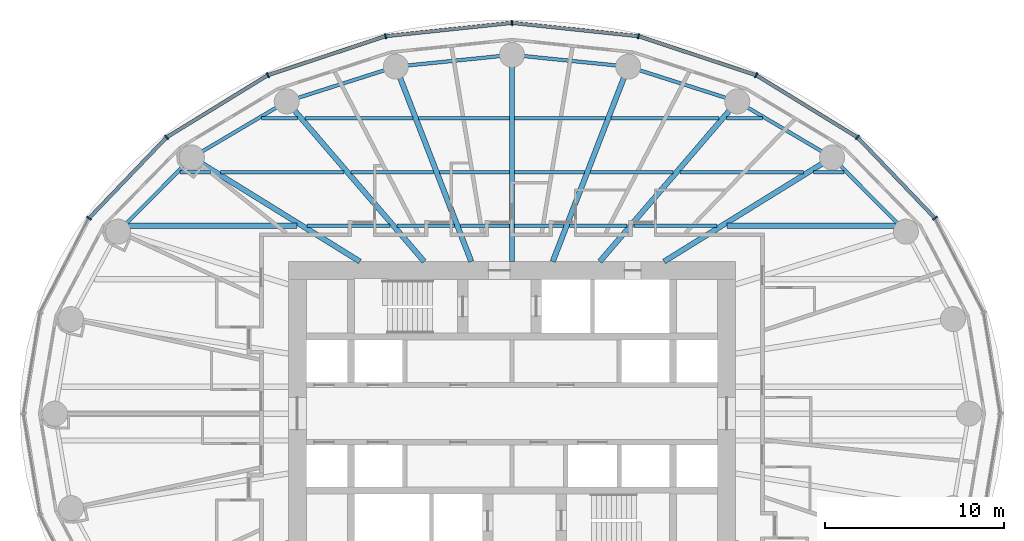
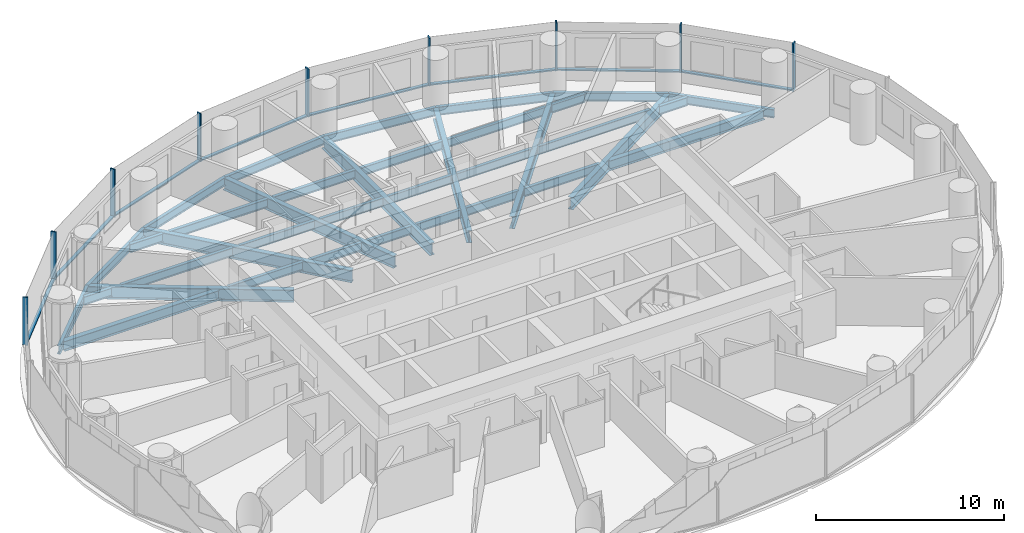
# One storey, part 4 of 14: 37 beams, 17 members, 2 elements without a shape of their own.
"""IFC4 building model written with IfcOpenShell, lengths in metres."""

from ifc_helpers import new_model, si_unit, direction, frame, origin, origin_2d, place, context, subcontext, project, spatial, rectangle, i_section, extrude, material, material_profile, profile_set, type_object, element, aggregate, save


model = new_model("IFC4")

# Units and contexts
model_context = context("Model", 3, precision=1e-05, world=origin(), true_north=direction((0.0, 1.0)))
body_context = subcontext(model_context, "Body", "Model", "MODEL_VIEW")
ifc_project = project(units=[si_unit("LENGTHUNIT", "METRE"), si_unit("AREAUNIT", "SQUARE_METRE"), si_unit("VOLUMEUNIT", "CUBIC_METRE"), si_unit("PLANEANGLEUNIT", "RADIAN"), si_unit("MASSUNIT", "GRAM", prefix="KILO")], contexts=[model_context])

# Site, building, storey
site_placement = place(None, origin())
site = spatial("IfcSite", under=ifc_project, at=site_placement, CompositionType="ELEMENT")
building_placement = place(site_placement, origin())
building = spatial("IfcBuilding", under=site, at=building_placement, Name="Hankou Lantern Tower", CompositionType="ELEMENT")
storey_placement = place(building_placement, frame((0.0, 0.0, 50.699951171875)))
storey = spatial("IfcBuildingStorey", under=building, at=storey_placement, Name="L11", CompositionType="ELEMENT", Elevation=50.699951171875)

# Beams
ifc_material_1 = material(Name="Steel Q355B", Category="steel")
ifc_material_profile_1 = material_profile(ifc_material_1, i_section(OverallWidth=0.199951171875, OverallDepth=0.550048828125, WebThickness=0.010009765625, FlangeThickness=0.01611328125, FilletRadius=0.012939453125, at=origin_2d()), Name="HN550x200x10x16")
ifc_profile_set_1 = profile_set([ifc_material_profile_1], Name="Steel Q355B")
beam_type_1 = type_object("IfcBeamType", Name="EB6 RING BEAM HN550x200x10x16", PredefinedType="SPANDREL", material=ifc_profile_set_1)
beam_1_placement = place(storey_placement, frame((22.01904296875, 10.170166015625, -0.454833984375), z_axis=(-0.705727798394, 0.708483079949, 0.0), x_axis=(-0.708483079949, -0.705727798394, 0.0)))
element("IfcBeam", 1, at=beam_1_placement, inside=storey, type_object=beam_type_1, Name="Ring beam R03-R04 L11", PredefinedType="SPANDREL", context=body_context, shape_type="SweptSolid", body=[
    extrude(i_section(OverallWidth=0.199951171875, OverallDepth=0.550048828125, WebThickness=0.010009765625, FlangeThickness=0.01611328125, FilletRadius=0.012939453125, at=origin_2d()), origin(), (0.0, 0.0, 1.0), 5.84814453125),
])
beam_2_placement = place(storey_placement, frame((17.891845703125, 14.3134765625, -0.454833984375), z_axis=(-0.860881533543, 0.508805449268, 0.0), x_axis=(-0.508805449268, -0.860881533543, 0.0)))
element("IfcBeam", 2, at=beam_2_placement, inside=storey, type_object=beam_type_1, Name="Ring beam R04-R05 L11", PredefinedType="SPANDREL", context=body_context, shape_type="SweptSolid", body=[
    extrude(i_section(OverallWidth=0.199951171875, OverallDepth=0.550048828125, WebThickness=0.010009765625, FlangeThickness=0.01611328125, FilletRadius=0.012939453125, at=origin_2d()), origin(), (0.0, 0.0, 1.0), 6.15771484375),
])
beam_3_placement = place(storey_placement, frame((12.5908203125, 17.446533203125, -0.454833984375), z_axis=(-0.952690479428, 0.303942182671, 0.0), x_axis=(-0.303942182671, -0.952690479428, 0.0)))
element("IfcBeam", 3, at=beam_3_placement, inside=storey, type_object=beam_type_1, Name="Ring beam R05-R06 L11", PredefinedType="SPANDREL", context=body_context, shape_type="SweptSolid", body=[
    extrude(i_section(OverallWidth=0.199951171875, OverallDepth=0.550048828125, WebThickness=0.010009765625, FlangeThickness=0.01611328125, FilletRadius=0.012939453125, at=origin_2d()), origin(), (0.0, 0.0, 1.0), 6.398681640625),
])
for number, where, z_axis, x_axis, name in (
    (4, (6.494873046875, 19.391357421875, -0.454833984375), (-0.994896616842, 0.100899562915, 0.0), (-0.100899562915, -0.994896616842, 0.0), "Ring beam R06-R07 L11"),
    (5, (0.0, 20.050048828125, -0.454833984375), (-0.994896616842, -0.100899562915, 0.0), (0.100899562915, -0.994896616842, 0.0), "Ring beam R07-R08 L11"),
):
    element("IfcBeam", number, at=place(storey_placement, frame(where, z_axis=z_axis, x_axis=x_axis)), inside=storey, type_object=beam_type_1, Name=name, PredefinedType="SPANDREL", context=body_context, shape_type="SweptSolid", body=[
        extrude(i_section(OverallWidth=0.199951171875, OverallDepth=0.550048828125, WebThickness=0.010009765625, FlangeThickness=0.01611328125, FilletRadius=0.012939453125, at=origin_2d()), origin(), (0.0, 0.0, 1.0), 6.528076171875),
    ])
beam_4_placement = place(storey_placement, frame((-6.494873046875, 19.391357421875, -0.454833984375), z_axis=(-0.952690479428, -0.303942182671, 0.0), x_axis=(0.303942182671, -0.952690479428, 0.0)))
element("IfcBeam", 6, at=beam_4_placement, inside=storey, type_object=beam_type_1, Name="Ring beam R08-R09 L11", PredefinedType="SPANDREL", context=body_context, shape_type="SweptSolid", body=[
    extrude(i_section(OverallWidth=0.199951171875, OverallDepth=0.550048828125, WebThickness=0.010009765625, FlangeThickness=0.01611328125, FilletRadius=0.012939453125, at=origin_2d()), origin(), (0.0, 0.0, 1.0), 6.398681640625),
])
beam_5_placement = place(storey_placement, frame((-12.5908203125, 17.446533203125, -0.454833984375), z_axis=(-0.860881533543, -0.508805449268, 0.0), x_axis=(0.508805449268, -0.860881533543, 0.0)))
element("IfcBeam", 7, at=beam_5_placement, inside=storey, type_object=beam_type_1, Name="Ring beam R09-R10 L11", PredefinedType="SPANDREL", context=body_context, shape_type="SweptSolid", body=[
    extrude(i_section(OverallWidth=0.199951171875, OverallDepth=0.550048828125, WebThickness=0.010009765625, FlangeThickness=0.01611328125, FilletRadius=0.012939453125, at=origin_2d()), origin(), (0.0, 0.0, 1.0), 6.15771484375),
])
beam_6_placement = place(storey_placement, frame((-17.891845703125, 14.3134765625, -0.454833984375), z_axis=(-0.705727798394, -0.708483079949, 0.0), x_axis=(0.708483079949, -0.705727798394, 0.0)))
element("IfcBeam", 8, at=beam_6_placement, inside=storey, type_object=beam_type_1, Name="Ring beam R10-R11 L11", PredefinedType="SPANDREL", context=body_context, shape_type="SweptSolid", body=[
    extrude(i_section(OverallWidth=0.199951171875, OverallDepth=0.550048828125, WebThickness=0.010009765625, FlangeThickness=0.01611328125, FilletRadius=0.012939453125, at=origin_2d()), origin(), (0.0, 0.0, 1.0), 5.84814453125),
])

# Curtain wall, members
ifc_material_2 = material(Name="Glass, dark grey tinted laminated", Category="glass")
curtain_wall_type = type_object("IfcCurtainWallType", Name="CWA OUTER SKIN LOW-RISE", PredefinedType="USERDEFINED", material=ifc_material_2)
curtain_wall_1_placement = place(storey_placement, origin())
curtain_wall_1 = element("IfcCurtainWall", 9, at=curtain_wall_1_placement, inside=storey, type_object=curtain_wall_type, Name="CWA L11 OS1", ObjectType="OUTER SKIN LOW-RISE", PredefinedType="USERDEFINED")
ifc_material_3 = material(Name="Aluminium, black anodised", Category="aluminium")
ifc_material_profile_2 = material_profile(ifc_material_3, rectangle(XDim=0.080078125, YDim=0.300048828125, at=origin_2d()), Name="MU1 80X300")
ifc_profile_set_2 = profile_set([ifc_material_profile_2], Name="Aluminium, black anodised")
member_type_1 = type_object("IfcMemberType", Name="MU1 OUTER SKIN MULLION 80X300", PredefinedType="MULLION", material=ifc_profile_set_2)
member_1_placement = place(storey_placement, frame((23.642578125, 10.919921875, 0.0), z_axis=(0.0, 0.0, 1.0), x_axis=(-0.585205735974, 0.810884854084, 0.0)))
member_1 = element("IfcMember", 10, at=member_1_placement, type_object=member_type_1, Name="CWA mullion 3", PredefinedType="MULLION", context=body_context, shape_type="SweptSolid", body=[
    extrude(rectangle(XDim=0.080078125, YDim=0.300048828125, at=origin_2d()), origin(), (0.0, 0.0, 1.0), 3.1201171875),
])
member_2_placement = place(storey_placement, frame((19.303955078125, 15.443115234375, 0.0), z_axis=(0.0, 0.0, 1.0), x_axis=(-0.780868809444, 0.624695047553, 0.0)))
member_2 = element("IfcMember", 11, at=member_2_placement, type_object=member_type_1, Name="CWA mullion 4", PredefinedType="MULLION", context=body_context, shape_type="SweptSolid", body=[
    extrude(rectangle(XDim=0.080078125, YDim=0.300048828125, at=origin_2d()), origin(), (0.0, 0.0, 1.0), 3.1201171875),
])
member_3_placement = place(storey_placement, frame((13.64990234375, 18.9140625, 0.0), z_axis=(0.0, 0.0, 1.0), x_axis=(-0.907841299004, 0.419313934686, 0.0)))
member_3 = element("IfcMember", 12, at=member_3_placement, type_object=member_type_1, Name="CWA mullion 5", PredefinedType="MULLION", context=body_context, shape_type="SweptSolid", body=[
    extrude(rectangle(XDim=0.080078125, YDim=0.300048828125, at=origin_2d()), origin(), (0.0, 0.0, 1.0), 3.1201171875),
])
member_4_placement = place(storey_placement, frame((7.065673828125, 21.095703125, 0.0), z_axis=(0.0, 0.0, 1.0), x_axis=(-0.977787659625, 0.209597931016, 0.0)))
member_4 = element("IfcMember", 13, at=member_4_placement, type_object=member_type_1, Name="CWA mullion 6", PredefinedType="MULLION", context=body_context, shape_type="SweptSolid", body=[
    extrude(rectangle(XDim=0.080078125, YDim=0.300048828125, at=origin_2d()), origin(), (0.0, 0.0, 1.0), 3.1201171875),
])

curtain_wall_2_placement = place(storey_placement, origin())
curtain_wall_2 = element("IfcCurtainWall", 14, at=curtain_wall_2_placement, inside=storey, type_object=curtain_wall_type, Name="CWA L11 OS2", ObjectType="OUTER SKIN LOW-RISE", PredefinedType="USERDEFINED")
member_5_placement = place(storey_placement, frame((0.0, 21.840087890625, 0.0), z_axis=(0.0, 0.0, 1.0), x_axis=(-0.994499359107, -0.104742659579, 0.0)))
member_5 = element("IfcMember", 15, at=member_5_placement, type_object=member_type_1, Name="CWA mullion 1", PredefinedType="MULLION", context=body_context, shape_type="SweptSolid", body=[
    extrude(rectangle(XDim=0.080078125, YDim=0.300048828125, at=origin_2d()), origin(), (0.0, 0.0, 1.0), 3.1201171875),
])
member_6_placement = place(storey_placement, frame((-7.065673828125, 21.095703125, 0.0), z_axis=(0.0, 0.0, 1.0), x_axis=(-0.977787659625, -0.209597931016, 0.0)))
member_6 = element("IfcMember", 16, at=member_6_placement, type_object=member_type_1, Name="CWA mullion 2", PredefinedType="MULLION", context=body_context, shape_type="SweptSolid", body=[
    extrude(rectangle(XDim=0.080078125, YDim=0.300048828125, at=origin_2d()), origin(), (0.0, 0.0, 1.0), 3.1201171875),
])
member_7_placement = place(storey_placement, frame((-13.64990234375, 18.9140625, 0.0), z_axis=(0.0, 0.0, 1.0), x_axis=(-0.907841299004, -0.419313934686, 0.0)))
member_7 = element("IfcMember", 17, at=member_7_placement, type_object=member_type_1, Name="CWA mullion 3", PredefinedType="MULLION", context=body_context, shape_type="SweptSolid", body=[
    extrude(rectangle(XDim=0.080078125, YDim=0.300048828125, at=origin_2d()), origin(), (0.0, 0.0, 1.0), 3.1201171875),
])
member_8_placement = place(storey_placement, frame((-19.303955078125, 15.443115234375, 0.0), z_axis=(0.0, 0.0, 1.0), x_axis=(-0.780868809444, -0.624695047553, 0.0)))
member_8 = element("IfcMember", 18, at=member_8_placement, type_object=member_type_1, Name="CWA mullion 4", PredefinedType="MULLION", context=body_context, shape_type="SweptSolid", body=[
    extrude(rectangle(XDim=0.080078125, YDim=0.300048828125, at=origin_2d()), origin(), (0.0, 0.0, 1.0), 3.1201171875),
])
member_9_placement = place(storey_placement, frame((-23.642578125, 10.919921875, 0.0), z_axis=(0.0, 0.0, 1.0), x_axis=(-0.585205735974, -0.810884854084, 0.0)))
member_9 = element("IfcMember", 19, at=member_9_placement, type_object=member_type_1, Name="CWA mullion 5", PredefinedType="MULLION", context=body_context, shape_type="SweptSolid", body=[
    extrude(rectangle(XDim=0.080078125, YDim=0.300048828125, at=origin_2d()), origin(), (0.0, 0.0, 1.0), 3.1201171875),
])

# Beams
ifc_material_4 = material(Name="Steel Q355B", Category="steel")
ifc_material_profile_3 = material_profile(ifc_material_4, i_section(OverallWidth=0.300048828125, OverallDepth=0.800048828125, WebThickness=0.013916015625, FlangeThickness=0.02587890625, FilletRadius=0.01806640625, at=origin_2d()), Name="HN800x300x14x26")
ifc_profile_set_3 = profile_set([ifc_material_profile_3], Name="Steel Q355B")
beam_type_2 = type_object("IfcBeamType", Name="RB11 RADIAL BEAM HN800x300x14x26", PredefinedType="BEAM", material=ifc_profile_set_3)
beam_7_placement = place(storey_placement, frame((8.5, 8.5, -0.579833984375), z_axis=(0.850286343288, 0.526320372414, 0.0), x_axis=(-0.526320372414, 0.850286343288, 0.0)))
element("IfcBeam", 20, at=beam_7_placement, inside=storey, type_object=beam_type_2, Name="Radial beam R04 L11", PredefinedType="BEAM", context=body_context, shape_type="SweptSolid", body=[
    extrude(i_section(OverallWidth=0.300048828125, OverallDepth=0.800048828125, WebThickness=0.013916015625, FlangeThickness=0.02587890625, FilletRadius=0.01806640625, at=origin_2d()), origin(), (0.0, 0.0, 1.0), 11.04541015625),
])
beam_8_placement = place(storey_placement, frame((4.907470703125, 8.5, -0.579833984375), z_axis=(0.651519061225, 0.758632264579, 0.0), x_axis=(-0.758632264579, 0.651519061225, 0.0)))
element("IfcBeam", 21, at=beam_8_placement, inside=storey, type_object=beam_type_2, Name="Radial beam R05 L11", PredefinedType="BEAM", context=body_context, shape_type="SweptSolid", body=[
    extrude(i_section(OverallWidth=0.300048828125, OverallDepth=0.800048828125, WebThickness=0.013916015625, FlangeThickness=0.02587890625, FilletRadius=0.01806640625, at=origin_2d()), origin(), (0.0, 0.0, 1.0), 11.79296875),
])
beam_9_placement = place(storey_placement, frame((2.277587890625, 8.5, -0.579833984375), z_axis=(0.361089103374, 0.932531318201, 0.0), x_axis=(-0.932531318201, 0.361089103374, 0.0)))
element("IfcBeam", 22, at=beam_9_placement, inside=storey, type_object=beam_type_2, Name="Radial beam R06 L11", PredefinedType="BEAM", context=body_context, shape_type="SweptSolid", body=[
    extrude(i_section(OverallWidth=0.300048828125, OverallDepth=0.800048828125, WebThickness=0.013916015625, FlangeThickness=0.02587890625, FilletRadius=0.01806640625, at=origin_2d()), origin(), (0.0, 0.0, 1.0), 11.679443359375),
])
beam_10_placement = place(storey_placement, frame((0.0, 8.5, -0.579833984375), z_axis=(0.0, 1.0, 0.0), x_axis=(-1.0, 0.0, 0.0)))
element("IfcBeam", 23, at=beam_10_placement, inside=storey, type_object=beam_type_2, Name="Radial beam R07 L11", PredefinedType="BEAM", context=body_context, shape_type="SweptSolid", body=[
    extrude(i_section(OverallWidth=0.300048828125, OverallDepth=0.800048828125, WebThickness=0.013916015625, FlangeThickness=0.02587890625, FilletRadius=0.01806640625, at=origin_2d()), origin(), (0.0, 0.0, 1.0), 11.550048828125),
])
beam_11_placement = place(storey_placement, frame((-2.277587890625, 8.5, -0.579833984375), z_axis=(-0.361089103374, 0.932531318201, 0.0), x_axis=(-0.932531318201, -0.361089103374, 0.0)))
element("IfcBeam", 24, at=beam_11_placement, inside=storey, type_object=beam_type_2, Name="Radial beam R08 L11", PredefinedType="BEAM", context=body_context, shape_type="SweptSolid", body=[
    extrude(i_section(OverallWidth=0.300048828125, OverallDepth=0.800048828125, WebThickness=0.013916015625, FlangeThickness=0.02587890625, FilletRadius=0.01806640625, at=origin_2d()), origin(), (0.0, 0.0, 1.0), 11.679443359375),
])
beam_12_placement = place(storey_placement, frame((-4.907470703125, 8.5, -0.579833984375), z_axis=(-0.651519061225, 0.758632264579, 0.0), x_axis=(-0.758632264579, -0.651519061225, 0.0)))
element("IfcBeam", 25, at=beam_12_placement, inside=storey, type_object=beam_type_2, Name="Radial beam R09 L11", PredefinedType="BEAM", context=body_context, shape_type="SweptSolid", body=[
    extrude(i_section(OverallWidth=0.300048828125, OverallDepth=0.800048828125, WebThickness=0.013916015625, FlangeThickness=0.02587890625, FilletRadius=0.01806640625, at=origin_2d()), origin(), (0.0, 0.0, 1.0), 11.79296875),
])
beam_13_placement = place(storey_placement, frame((-8.5, 8.5, -0.579833984375), z_axis=(-0.850286343288, 0.526320372414, 0.0), x_axis=(-0.526320372414, -0.850286343288, 0.0)))
element("IfcBeam", 26, at=beam_13_placement, inside=storey, type_object=beam_type_2, Name="Radial beam R10 L11", PredefinedType="BEAM", context=body_context, shape_type="SweptSolid", body=[
    extrude(i_section(OverallWidth=0.300048828125, OverallDepth=0.800048828125, WebThickness=0.013916015625, FlangeThickness=0.02587890625, FilletRadius=0.01806640625, at=origin_2d()), origin(), (0.0, 0.0, 1.0), 11.04541015625),
])
ifc_material_5 = material(Name="Steel Q355B", Category="steel")
ifc_material_profile_4 = material_profile(ifc_material_5, i_section(OverallWidth=0.199951171875, OverallDepth=0.550048828125, WebThickness=0.010009765625, FlangeThickness=0.01611328125, FilletRadius=0.012939453125, at=origin_2d()), Name="HN550x200x10x16")
ifc_profile_set_4 = profile_set([ifc_material_profile_4], Name="Steel Q355B")
beam_type_3 = type_object("IfcBeamType", Name="SB6 SECONDARY BEAM HN550x200x10x16", PredefinedType="JOIST", material=ifc_profile_set_4)
beam_14_placement = place(storey_placement, frame((-11.446044921875, 10.5, -0.454833984375), z_axis=(1.0, 0.0, 0.0), x_axis=(0.0, 1.0, 0.0)))
element("IfcBeam", 27, at=beam_14_placement, inside=storey, type_object=beam_type_3, Name="Floor joist J040 L11", PredefinedType="JOIST", context=body_context, shape_type="SweptSolid", body=[
    extrude(i_section(OverallWidth=0.199951171875, OverallDepth=0.550048828125, WebThickness=0.010009765625, FlangeThickness=0.01611328125, FilletRadius=0.012939453125, at=origin_2d()), origin(), (0.0, 0.0, 1.0), 4.623291015625),
])
beam_15_placement = place(storey_placement, frame((-6.427490234375, 10.5, -0.454833984375), z_axis=(1.0, 0.0, 0.0), x_axis=(0.0, 1.0, 0.0)))
element("IfcBeam", 28, at=beam_15_placement, inside=storey, type_object=beam_type_3, Name="Floor joist J041 L11", PredefinedType="JOIST", context=body_context, shape_type="SweptSolid", body=[
    extrude(i_section(OverallWidth=0.199951171875, OverallDepth=0.550048828125, WebThickness=0.010009765625, FlangeThickness=0.01611328125, FilletRadius=0.012939453125, at=origin_2d()), origin(), (0.0, 0.0, 1.0), 3.214599609375),
])
for number, where, z_axis, x_axis, name in (
    (29, (-2.89111328125, 10.5, -0.454833984375), (1.0, 0.0, 0.0), (0.0, 1.0, 0.0), "Floor joist J042 L11"),
    (30, (0.14990234375, 10.5, -0.454833984375), (1.0, 0.0, 0.0), (0.0, 1.0, 0.0), "Floor joist J043 L11"),
):
    element("IfcBeam", number, at=place(storey_placement, frame(where, z_axis=z_axis, x_axis=x_axis)), inside=storey, type_object=beam_type_3, Name=name, PredefinedType="JOIST", context=body_context, shape_type="SweptSolid", body=[
        extrude(i_section(OverallWidth=0.199951171875, OverallDepth=0.550048828125, WebThickness=0.010009765625, FlangeThickness=0.01611328125, FilletRadius=0.012939453125, at=origin_2d()), origin(), (0.0, 0.0, 1.0), 2.7412109375),
    ])
beam_16_placement = place(storey_placement, frame((3.212890625, 10.5, -0.454833984375), z_axis=(1.0, 0.0, 0.0), x_axis=(0.0, 1.0, 0.0)))
element("IfcBeam", 31, at=beam_16_placement, inside=storey, type_object=beam_type_3, Name="Floor joist J044 L11", PredefinedType="JOIST", context=body_context, shape_type="SweptSolid", body=[
    extrude(i_section(OverallWidth=0.199951171875, OverallDepth=0.550048828125, WebThickness=0.010009765625, FlangeThickness=0.01611328125, FilletRadius=0.012939453125, at=origin_2d()), origin(), (0.0, 0.0, 1.0), 3.214599609375),
])
beam_17_placement = place(storey_placement, frame((6.82275390625, 10.5, -0.454833984375), z_axis=(1.0, 0.0, 0.0), x_axis=(0.0, 1.0, 0.0)))
element("IfcBeam", 32, at=beam_17_placement, inside=storey, type_object=beam_type_3, Name="Floor joist J045 L11", PredefinedType="JOIST", context=body_context, shape_type="SweptSolid", body=[
    extrude(i_section(OverallWidth=0.199951171875, OverallDepth=0.550048828125, WebThickness=0.010009765625, FlangeThickness=0.01611328125, FilletRadius=0.012939453125, at=origin_2d()), origin(), (0.0, 0.0, 1.0), 4.623291015625),
])
beam_18_placement = place(storey_placement, frame((-18.560791015625, 13.5, -0.454833984375), z_axis=(1.0, 0.0, 0.0), x_axis=(0.0, 1.0, 0.0)))
element("IfcBeam", 33, at=beam_18_placement, inside=storey, type_object=beam_type_3, Name="Floor joist J047 L11", PredefinedType="JOIST", context=body_context, shape_type="SweptSolid", body=[
    extrude(i_section(OverallWidth=0.199951171875, OverallDepth=0.550048828125, WebThickness=0.010009765625, FlangeThickness=0.01611328125, FilletRadius=0.012939453125, at=origin_2d()), origin(), (0.0, 0.0, 1.0), 1.697998046875),
])
beam_19_placement = place(storey_placement, frame((-16.292724609375, 13.5, -0.454833984375), z_axis=(1.0, 0.0, 0.0), x_axis=(0.0, 1.0, 0.0)))
element("IfcBeam", 34, at=beam_19_placement, inside=storey, type_object=beam_type_3, Name="Floor joist J048 L11", PredefinedType="JOIST", context=body_context, shape_type="SweptSolid", body=[
    extrude(i_section(OverallWidth=0.199951171875, OverallDepth=0.550048828125, WebThickness=0.010009765625, FlangeThickness=0.01611328125, FilletRadius=0.012939453125, at=origin_2d()), origin(), (0.0, 0.0, 1.0), 6.893310546875),
])
beam_20_placement = place(storey_placement, frame((-9.00390625, 13.5, -0.454833984375), z_axis=(1.0, 0.0, 0.0), x_axis=(0.0, 1.0, 0.0)))
element("IfcBeam", 35, at=beam_20_placement, inside=storey, type_object=beam_type_3, Name="Floor joist J049 L11", PredefinedType="JOIST", context=body_context, shape_type="SweptSolid", body=[
    extrude(i_section(OverallWidth=0.199951171875, OverallDepth=0.550048828125, WebThickness=0.010009765625, FlangeThickness=0.01611328125, FilletRadius=0.012939453125, at=origin_2d()), origin(), (0.0, 0.0, 1.0), 4.62939453125),
])
for number, where, z_axis, x_axis, name in (
    (36, (-4.052734375, 13.5, -0.454833984375), (1.0, 0.0, 0.0), (0.0, 1.0, 0.0), "Floor joist J050 L11"),
    (37, (0.14990234375, 13.5, -0.454833984375), (1.0, 0.0, 0.0), (0.0, 1.0, 0.0), "Floor joist J051 L11"),
):
    element("IfcBeam", number, at=place(storey_placement, frame(where, z_axis=z_axis, x_axis=x_axis)), inside=storey, type_object=beam_type_3, Name=name, PredefinedType="JOIST", context=body_context, shape_type="SweptSolid", body=[
        extrude(i_section(OverallWidth=0.199951171875, OverallDepth=0.550048828125, WebThickness=0.010009765625, FlangeThickness=0.01611328125, FilletRadius=0.012939453125, at=origin_2d()), origin(), (0.0, 0.0, 1.0), 3.90283203125),
    ])
beam_21_placement = place(storey_placement, frame((4.37451171875, 13.5, -0.454833984375), z_axis=(1.0, 0.0, 0.0), x_axis=(0.0, 1.0, 0.0)))
element("IfcBeam", 38, at=beam_21_placement, inside=storey, type_object=beam_type_3, Name="Floor joist J052 L11", PredefinedType="JOIST", context=body_context, shape_type="SweptSolid", body=[
    extrude(i_section(OverallWidth=0.199951171875, OverallDepth=0.550048828125, WebThickness=0.010009765625, FlangeThickness=0.01611328125, FilletRadius=0.012939453125, at=origin_2d()), origin(), (0.0, 0.0, 1.0), 4.62939453125),
])
beam_22_placement = place(storey_placement, frame((9.3994140625, 13.5, -0.454833984375), z_axis=(1.0, 0.0, 0.0), x_axis=(0.0, 1.0, 0.0)))
element("IfcBeam", 39, at=beam_22_placement, inside=storey, type_object=beam_type_3, Name="Floor joist J053 L11", PredefinedType="JOIST", context=body_context, shape_type="SweptSolid", body=[
    extrude(i_section(OverallWidth=0.199951171875, OverallDepth=0.550048828125, WebThickness=0.010009765625, FlangeThickness=0.01611328125, FilletRadius=0.012939453125, at=origin_2d()), origin(), (0.0, 0.0, 1.0), 6.893310546875),
])
beam_23_placement = place(storey_placement, frame((16.86279296875, 13.5, -0.454833984375), z_axis=(1.0, 0.0, 0.0), x_axis=(0.0, 1.0, 0.0)))
element("IfcBeam", 40, at=beam_23_placement, inside=storey, type_object=beam_type_3, Name="Floor joist J054 L11", PredefinedType="JOIST", context=body_context, shape_type="SweptSolid", body=[
    extrude(i_section(OverallWidth=0.199951171875, OverallDepth=0.550048828125, WebThickness=0.010009765625, FlangeThickness=0.01611328125, FilletRadius=0.012939453125, at=origin_2d()), origin(), (0.0, 0.0, 1.0), 1.697998046875),
])
beam_24_placement = place(storey_placement, frame((-13.99560546875, 16.5, -0.454833984375), z_axis=(1.0, 0.0, 0.0), x_axis=(0.0, 1.0, 0.0)))
element("IfcBeam", 41, at=beam_24_placement, inside=storey, type_object=beam_type_3, Name="Floor joist J055 L11", PredefinedType="JOIST", context=body_context, shape_type="SweptSolid", body=[
    extrude(i_section(OverallWidth=0.199951171875, OverallDepth=0.550048828125, WebThickness=0.010009765625, FlangeThickness=0.01611328125, FilletRadius=0.012939453125, at=origin_2d()), origin(), (0.0, 0.0, 1.0), 2.019775390625),
])
beam_25_placement = place(storey_placement, frame((-11.580322265625, 16.5, -0.454833984375), z_axis=(1.0, 0.0, 0.0), x_axis=(0.0, 1.0, 0.0)))
element("IfcBeam", 42, at=beam_25_placement, inside=storey, type_object=beam_type_3, Name="Floor joist J056 L11", PredefinedType="JOIST", context=body_context, shape_type="SweptSolid", body=[
    extrude(i_section(OverallWidth=0.199951171875, OverallDepth=0.550048828125, WebThickness=0.010009765625, FlangeThickness=0.01611328125, FilletRadius=0.012939453125, at=origin_2d()), origin(), (0.0, 0.0, 1.0), 6.044189453125),
])
for number, where, z_axis, x_axis, name in (
    (43, (-5.21435546875, 16.5, -0.454833984375), (1.0, 0.0, 0.0), (0.0, 1.0, 0.0), "Floor joist J057 L11"),
    (44, (0.14990234375, 16.5, -0.454833984375), (1.0, 0.0, 0.0), (0.0, 1.0, 0.0), "Floor joist J058 L11"),
):
    element("IfcBeam", number, at=place(storey_placement, frame(where, z_axis=z_axis, x_axis=x_axis)), inside=storey, type_object=beam_type_3, Name=name, PredefinedType="JOIST", context=body_context, shape_type="SweptSolid", body=[
        extrude(i_section(OverallWidth=0.199951171875, OverallDepth=0.550048828125, WebThickness=0.010009765625, FlangeThickness=0.01611328125, FilletRadius=0.012939453125, at=origin_2d()), origin(), (0.0, 0.0, 1.0), 5.064453125),
    ])
beam_26_placement = place(storey_placement, frame((5.5361328125, 16.5, -0.454833984375), z_axis=(1.0, 0.0, 0.0), x_axis=(0.0, 1.0, 0.0)))
element("IfcBeam", 45, at=beam_26_placement, inside=storey, type_object=beam_type_3, Name="Floor joist J059 L11", PredefinedType="JOIST", context=body_context, shape_type="SweptSolid", body=[
    extrude(i_section(OverallWidth=0.199951171875, OverallDepth=0.550048828125, WebThickness=0.010009765625, FlangeThickness=0.01611328125, FilletRadius=0.012939453125, at=origin_2d()), origin(), (0.0, 0.0, 1.0), 6.044189453125),
])
beam_27_placement = place(storey_placement, frame((11.975830078125, 16.5, -0.454833984375), z_axis=(1.0, 0.0, 0.0), x_axis=(0.0, 1.0, 0.0)))
element("IfcBeam", 46, at=beam_27_placement, inside=storey, type_object=beam_type_3, Name="Floor joist J060 L11", PredefinedType="JOIST", context=body_context, shape_type="SweptSolid", body=[
    extrude(i_section(OverallWidth=0.199951171875, OverallDepth=0.550048828125, WebThickness=0.010009765625, FlangeThickness=0.01611328125, FilletRadius=0.012939453125, at=origin_2d()), origin(), (0.0, 0.0, 1.0), 2.019775390625),
])
ifc_material_6 = material(Name="Steel Q355B", Category="steel")
ifc_material_profile_5 = material_profile(ifc_material_6, i_section(OverallWidth=0.300048828125, OverallDepth=0.64990234375, WebThickness=0.010986328125, FlangeThickness=0.01708984375, FilletRadius=0.01806640625, at=origin_2d()), Name="HN650x300x11x17")
ifc_profile_set_5 = profile_set([ifc_material_profile_5], Name="Steel Q355B")
beam_type_4 = type_object("IfcBeamType", Name="SB8 SECONDARY BEAM HN650x300x11x17", PredefinedType="JOIST", material=ifc_profile_set_5)
for number, where, z_axis, x_axis, name in (
    (47, (-21.54931640625, 10.5, -0.5048828125), (1.0, 0.0, 0.0), (0.0, 1.0, 0.0), "Floor joist J039 L11"),
    (48, (12.01611328125, 10.5, -0.5048828125), (1.0, 0.0, 0.0), (0.0, 1.0, 0.0), "Floor joist J046 L11"),
):
    element("IfcBeam", number, at=place(storey_placement, frame(where, z_axis=z_axis, x_axis=x_axis)), inside=storey, type_object=beam_type_4, Name=name, PredefinedType="JOIST", context=body_context, shape_type="SweptSolid", body=[
        extrude(i_section(OverallWidth=0.300048828125, OverallDepth=0.64990234375, WebThickness=0.010986328125, FlangeThickness=0.01708984375, FilletRadius=0.01806640625, at=origin_2d()), origin(), (0.0, 0.0, 1.0), 9.533203125),
    ])

# Member
ifc_material_7 = material(Name="Aluminium, black anodised", Category="aluminium")
ifc_material_profile_6 = material_profile(ifc_material_7, rectangle(XDim=0.199951171875, YDim=0.080078125, at=origin_2d()), Name="TR1 200X80")
ifc_profile_set_6 = profile_set([ifc_material_profile_6], Name="Aluminium, black anodised")
member_type_2 = type_object("IfcMemberType", Name="TR1 OUTER SKIN TRANSOM 200X80", PredefinedType="USERDEFINED", material=ifc_profile_set_6)
member_10_placement = place(storey_placement, frame((23.61474609375, 10.948974609375, 0.0400390625), z_axis=(-0.692215537374, 0.721690827029, 0.0), x_axis=(-0.721690827029, -0.692215537374, 0.0)))
member_10 = element("IfcMember", 49, at=member_10_placement, type_object=member_type_2, Name="CWA transom 3", ObjectType="TRANSOM", PredefinedType="USERDEFINED", context=body_context, shape_type="SweptSolid", body=[
    extrude(rectangle(XDim=0.199951171875, YDim=0.080078125, at=origin_2d()), origin(), (0.0, 0.0, 1.0), 6.187255859375),
])

member_11_placement = place(storey_placement, frame((19.27001953125, 15.464111328125, 0.0400390625), z_axis=(-0.85223969557, 0.523151508929, 0.0), x_axis=(-0.523151508929, -0.85223969557, 0.0)))
member_11 = element("IfcMember", 50, at=member_11_placement, type_object=member_type_2, Name="CWA transom 4", ObjectType="TRANSOM", PredefinedType="USERDEFINED", context=body_context, shape_type="SweptSolid", body=[
    extrude(rectangle(XDim=0.199951171875, YDim=0.080078125, at=origin_2d()), origin(), (0.0, 0.0, 1.0), 6.554443359375),
])

member_12_placement = place(storey_placement, frame((13.612060546875, 18.926513671875, 0.0400390625), z_axis=(-0.949237318771, 0.314560825044, 0.0), x_axis=(-0.314560825044, -0.949237318771, 0.0)))
member_12 = element("IfcMember", 51, at=member_12_placement, type_object=member_type_2, Name="CWA transom 5", ObjectType="TRANSOM", PredefinedType="USERDEFINED", context=body_context, shape_type="SweptSolid", body=[
    extrude(rectangle(XDim=0.199951171875, YDim=0.080078125, at=origin_2d()), origin(), (0.0, 0.0, 1.0), 6.8564453125),
])

member_13_placement = place(storey_placement, frame((7.02587890625, 21.10009765625, 0.0400390625), z_axis=(-0.994502215033, 0.104715539888, 0.0), x_axis=(-0.104715539888, -0.994502215033, 0.0)))
member_13 = element("IfcMember", 52, at=member_13_placement, type_object=member_type_2, Name="CWA transom 6", ObjectType="TRANSOM", PredefinedType="USERDEFINED", context=body_context, shape_type="SweptSolid", body=[
    extrude(rectangle(XDim=0.199951171875, YDim=0.080078125, at=origin_2d()), origin(), (0.0, 0.0, 1.0), 7.024658203125),
])

aggregate(curtain_wall_1, [member_1, member_2, member_3, member_4, member_10, member_11, member_12, member_13])

member_14_placement = place(storey_placement, frame((-0.039794921875, 21.835693359375, 0.0400390625), z_axis=(-0.994502215033, -0.104715539888, 0.0), x_axis=(0.104715539888, -0.994502215033, 0.0)))
member_14 = element("IfcMember", 53, at=member_14_placement, type_object=member_type_2, Name="CWA transom 1", ObjectType="TRANSOM", PredefinedType="USERDEFINED", context=body_context, shape_type="SweptSolid", body=[
    extrude(rectangle(XDim=0.199951171875, YDim=0.080078125, at=origin_2d()), origin(), (0.0, 0.0, 1.0), 7.024658203125),
])

member_15_placement = place(storey_placement, frame((-7.103759765625, 21.083251953125, 0.0400390625), z_axis=(-0.949237318771, -0.314560825044, 0.0), x_axis=(0.314560825044, -0.949237318771, 0.0)))
member_15 = element("IfcMember", 54, at=member_15_placement, type_object=member_type_2, Name="CWA transom 2", ObjectType="TRANSOM", PredefinedType="USERDEFINED", context=body_context, shape_type="SweptSolid", body=[
    extrude(rectangle(XDim=0.199951171875, YDim=0.080078125, at=origin_2d()), origin(), (0.0, 0.0, 1.0), 6.8564453125),
])

member_16_placement = place(storey_placement, frame((-13.68408203125, 18.89306640625, 0.0400390625), z_axis=(-0.85223969557, -0.523151508929, 0.0), x_axis=(0.523151508929, -0.85223969557, 0.0)))
member_16 = element("IfcMember", 55, at=member_16_placement, type_object=member_type_2, Name="CWA transom 3", ObjectType="TRANSOM", PredefinedType="USERDEFINED", context=body_context, shape_type="SweptSolid", body=[
    extrude(rectangle(XDim=0.199951171875, YDim=0.080078125, at=origin_2d()), origin(), (0.0, 0.0, 1.0), 6.554443359375),
])

member_17_placement = place(storey_placement, frame((-19.331787109375, 15.414306640625, 0.0400390625), z_axis=(-0.692215537374, -0.721690827029, 0.0), x_axis=(0.721690827029, -0.692215537374, 0.0)))
member_17 = element("IfcMember", 56, at=member_17_placement, type_object=member_type_2, Name="CWA transom 4", ObjectType="TRANSOM", PredefinedType="USERDEFINED", context=body_context, shape_type="SweptSolid", body=[
    extrude(rectangle(XDim=0.199951171875, YDim=0.080078125, at=origin_2d()), origin(), (0.0, 0.0, 1.0), 6.187255859375),
])

aggregate(curtain_wall_2, [member_5, member_6, member_7, member_8, member_9, member_14, member_15, member_16, member_17])

save(model, "model.ifc")
